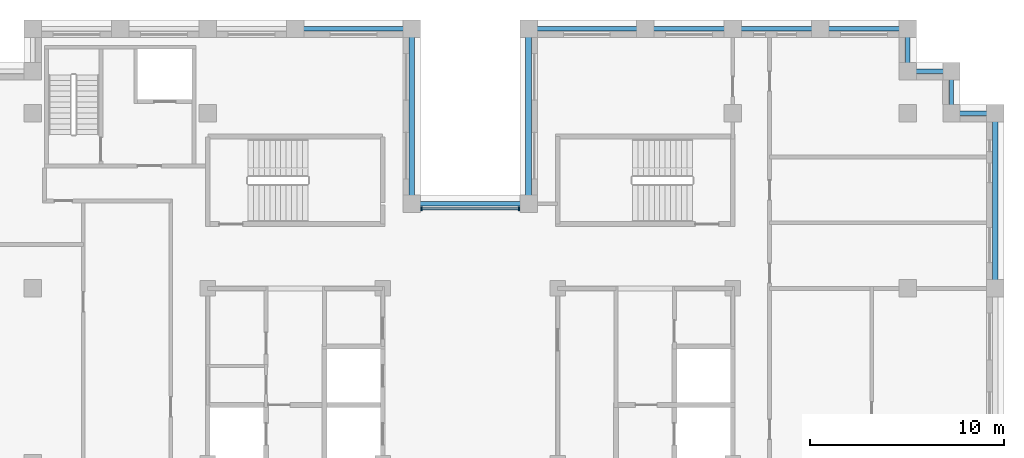
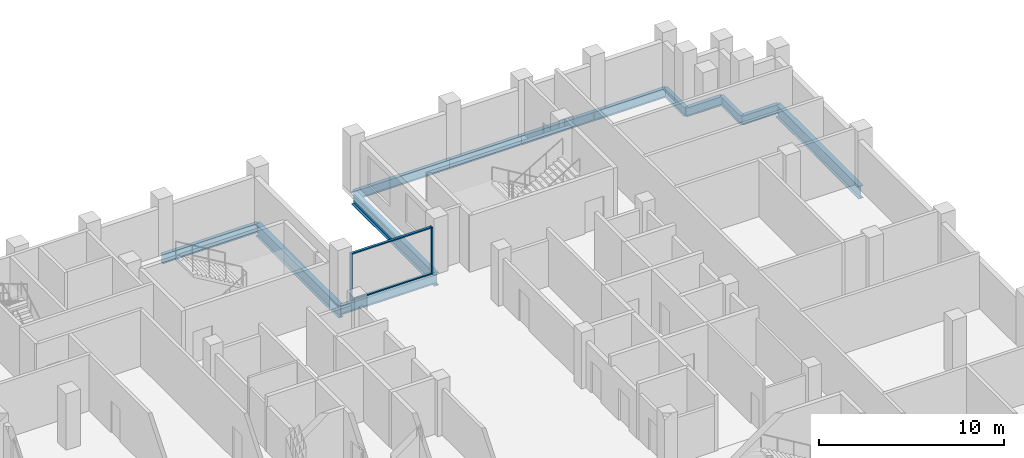
# One storey, part 4 of 13: 13 beams, 4 members, 1 element without a shape of its own.
"""IFC4 building model written with IfcOpenShell, lengths in metres."""

import ifcopenshell
import ifcopenshell.guid

model = None  # the IFC model being written
_history = None  # IfcOwnerHistory: only IFC2X3 demands one
_inside = {}  # id of a spatial element -> (the spatial element, [elements in it])
_under = {}  # id of a project, library or spatial element -> (it, [spatial elements below it])
_declared = {}  # id of a project -> (the project, [libraries it declares])
_typed = {}  # id of a type object -> (the type object, [elements of that type])
_made_of = {}  # id of a material, layer set ... -> (it, [elements and type objects made of it])


def new_model(schema):
    """Start an empty IFC model of exactly this schema.

    Asked for "IFC4X3", IfcOpenShell would pick the latest addendum, in which some entities
    have other attributes; the version numbers below select the first issue.
    IFC2X3 requires an IfcOwnerHistory on every rooted entity: one is made here for all.
    """
    global model, _history
    if schema == "IFC4X3":
        model = ifcopenshell.file(schema_version=(4, 3, 0, 0))
    else:
        model = ifcopenshell.file(schema=schema)
    _inside.clear()
    _under.clear()
    _declared.clear()
    _typed.clear()
    _made_of.clear()
    _history = None
    if model.schema == "IFC2X3":
        org = make("IfcOrganization", Name="unknown")
        user = make(
            "IfcPersonAndOrganization",
            ThePerson=make("IfcPerson", FamilyName="unknown"),
            TheOrganization=org,
        )
        app = make(
            "IfcApplication",
            ApplicationDeveloper=org,
            Version="unknown",
            ApplicationFullName="unknown",
            ApplicationIdentifier="unknown",
        )
        _history = make(
            "IfcOwnerHistory",
            OwningUser=user,
            OwningApplication=app,
            ChangeAction="ADDED",
            CreationDate=0,
        )
    return model


def make(cls, **values):
    """One entity of the class cls with the attributes given. An attribute that is None is left unset."""
    return model.create_entity(
        cls, **{name: value for name, value in values.items() if value is not None}
    )


def rooted(cls, **values):
    """An entity with a GlobalId (a new one), such as an element, a storey or a relation."""
    return make(cls, GlobalId=ifcopenshell.guid.new(), OwnerHistory=_history, **values)


def si_unit(unit_type, name, prefix=None):
    """IfcSIUnit, for example si_unit("LENGTHUNIT", "METRE", prefix="MILLI")."""
    return make("IfcSIUnit", UnitType=unit_type, Prefix=prefix, Name=name)


def assignment(units):
    """IfcUnitAssignment: the units of a project."""
    return None if units is None else make("IfcUnitAssignment", Units=units)


def point(xyz):
    """IfcCartesianPoint."""
    return None if xyz is None else make("IfcCartesianPoint", Coordinates=xyz)


def direction(xyz):
    """IfcDirection."""
    return None if xyz is None else make("IfcDirection", DirectionRatios=xyz)


def frame(location, z_axis=None, x_axis=None):
    """IfcAxis2Placement3D, a coordinate frame: its origin and axes. An axis left out is left unset."""
    return make(
        "IfcAxis2Placement3D",
        Location=point(location),
        Axis=direction(z_axis),
        RefDirection=direction(x_axis),
    )


def frame_2d(location, x_axis=None):
    """IfcAxis2Placement2D, a coordinate frame in the plane: its origin and x axis."""
    return make(
        "IfcAxis2Placement2D", Location=point(location), RefDirection=direction(x_axis)
    )


def origin():
    """The frame at (0, 0, 0) with its axes left unset."""
    return frame((0.0, 0.0, 0.0))


def origin_2d():
    """The frame at (0, 0) in the plane with its x axis left unset."""
    return frame_2d((0.0, 0.0))


def place(relative_to, where):
    """IfcLocalPlacement: puts the frame where relative to a parent placement (None: the world)."""
    return make(
        "IfcLocalPlacement", PlacementRelTo=relative_to, RelativePlacement=where
    )


def context(
    kind, dimensions, precision=None, world=None, true_north=None, identifier=None
):
    """IfcGeometricRepresentationContext, for example the 3D "Model" context."""
    return make(
        "IfcGeometricRepresentationContext",
        ContextIdentifier=identifier,
        ContextType=kind,
        CoordinateSpaceDimension=dimensions,
        Precision=precision,
        WorldCoordinateSystem=world,
        TrueNorth=true_north,
    )


def subcontext(parent, identifier, kind, view, scale=None):
    """IfcGeometricRepresentationSubContext, for example "Body" below "Model"."""
    return make(
        "IfcGeometricRepresentationSubContext",
        ContextIdentifier=identifier,
        ContextType=kind,
        ParentContext=parent,
        TargetScale=scale,
        TargetView=view,
    )


def project(units=None, contexts=None):
    """IfcProject with its units and contexts."""
    return rooted(
        "IfcProject",
        Name="project",
        RepresentationContexts=contexts,
        UnitsInContext=assignment(units),
    )


def spatial(cls, under=None, at=None, **own):
    """A site, building, storey or space (cls), placed at a placement, below another one or the project."""
    s = rooted(cls, ObjectPlacement=at, **own)
    if under is not None:
        _under.setdefault(under.id(), (under, []))[1].append(s)
    return s


def profile(cls, at=None, kind="AREA", **sizes):
    """A parametric profile (cls). Its sizes go by their IFC names, for example OverallWidth=200.0."""
    return make(cls, ProfileType=kind, Position=at, **sizes)


def rectangle(**sizes):
    """IfcRectangleProfileDef."""
    return profile("IfcRectangleProfileDef", **sizes)


def i_section(**sizes):
    """IfcIShapeProfileDef."""
    return profile("IfcIShapeProfileDef", **sizes)


def extrude(swept, where, along, depth):
    """IfcExtrudedAreaSolid: the profile swept, set in the frame where, extruded along a direction by depth."""
    return make(
        "IfcExtrudedAreaSolid",
        SweptArea=swept,
        Position=where,
        ExtrudedDirection=direction(along),
        Depth=depth,
    )


def shape(context_of_items, identifier, shape_type, items):
    """IfcShapeRepresentation: the items that make up one representation, for example the "Body"."""
    return make(
        "IfcShapeRepresentation",
        ContextOfItems=context_of_items,
        RepresentationIdentifier=identifier,
        RepresentationType=shape_type,
        Items=items,
    )


def material(Name=None, Category=None):
    """IfcMaterial."""
    return make("IfcMaterial", Name=Name, Category=Category)


def layer(
    of_material, thickness, ventilated=None, Name=None, Category=None, Priority=None
):
    """IfcMaterialLayer: one layer of a wall or slab, of a material (None: an air gap)."""
    return make(
        "IfcMaterialLayer",
        Material=of_material,
        LayerThickness=thickness,
        IsVentilated=ventilated,
        Name=Name,
        Category=Category,
        Priority=Priority,
    )


def layer_set(layers, Name=None):
    """IfcMaterialLayerSet."""
    return make("IfcMaterialLayerSet", MaterialLayers=layers, LayerSetName=Name)


def material_profile(
    of_material, cross_section, Name=None, Category=None, Priority=None
):
    """IfcMaterialProfile: a cross section and its material."""
    return make(
        "IfcMaterialProfile",
        Name=Name,
        Material=of_material,
        Profile=cross_section,
        Priority=Priority,
        Category=Category,
    )


def profile_set(profiles, Name=None, composite=None):
    """IfcMaterialProfileSet."""
    return make(
        "IfcMaterialProfileSet",
        Name=Name,
        MaterialProfiles=profiles,
        CompositeProfile=composite,
    )


def made_of(thing, what):
    """Note that an element or type object is made of a material, layer set ...; save() writes the relation."""
    if what is not None:
        _made_of.setdefault(what.id(), (what, []))[1].append(thing)
    return thing


def type_object(cls, material=None, **own):
    """A type object (cls), such as IfcWallType, which elements share."""
    return made_of(rooted(cls, **own), material)


def element(
    cls,
    number,
    at=None,
    inside=None,
    cuts=None,
    type_object=None,
    material=None,
    context=None,
    identifier="Body",
    shape_type=None,
    held_by="IfcProductDefinitionShape",
    body=None,
    shapes=None,
    **own,
):
    """One element of the class cls, such as IfcWall. Its Tag is "e" and its number.

    at: its placement. inside: the storey or other place that contains it. cuts: it is an
    opening in that element (IfcRelVoidsElement). A single representation is given by context,
    identifier, shape_type and body (its items); several are given by shapes. held_by: the class
    of the entity that holds the representations. save() writes the other relations.
    """
    e = rooted(cls, Tag="e%d" % number, ObjectPlacement=at, **own)
    if body is not None:
        shapes = [shape(context, identifier, shape_type, body)]
    if shapes is not None:
        e.Representation = make(held_by, Representations=shapes)
    if inside is not None:
        _inside.setdefault(inside.id(), (inside, []))[1].append(e)
    if cuts is not None:
        rooted(
            "IfcRelVoidsElement", RelatingBuildingElement=cuts, RelatedOpeningElement=e
        )
    if type_object is not None:
        _typed.setdefault(type_object.id(), (type_object, []))[1].append(e)
    return made_of(e, material)


def aggregate(whole, parts):
    """IfcRelAggregates: a whole, such as a stair, and the parts it consists of."""
    return rooted("IfcRelAggregates", RelatingObject=whole, RelatedObjects=parts)


def save(model, path):
    """Write the relations noted so far, then the file.

    IfcRelAggregates (storeys below a building ...), IfcRelContainedInSpatialStructure (elements
    in a storey), IfcRelDefinesByType, IfcRelAssociatesMaterial and IfcRelDeclares: one each for
    every whole, place, type object, material and project.
    """
    for whole, parts in _under.values():
        aggregate(whole, parts)
    for where, things in _inside.values():
        rooted(
            "IfcRelContainedInSpatialStructure",
            RelatedElements=things,
            RelatingStructure=where,
        )
    for kind, things in _typed.values():
        rooted("IfcRelDefinesByType", RelatedObjects=things, RelatingType=kind)
    for what, things in _made_of.values():
        rooted("IfcRelAssociatesMaterial", RelatedObjects=things, RelatingMaterial=what)
    for by, libraries in _declared.values():
        rooted("IfcRelDeclares", RelatingContext=by, RelatedDefinitions=libraries)
    model.write(path)


model = new_model("IFC4")

# Units and contexts
model_context = context("Model", 3, precision=1e-05, world=origin(), true_north=direction((0.0, 1.0)))
body_context = subcontext(model_context, "Body", "Model", "MODEL_VIEW")
ifc_project = project(units=[si_unit("LENGTHUNIT", "METRE"), si_unit("AREAUNIT", "SQUARE_METRE"), si_unit("VOLUMEUNIT", "CUBIC_METRE"), si_unit("PLANEANGLEUNIT", "RADIAN"), si_unit("MASSUNIT", "GRAM", prefix="KILO")], contexts=[model_context])

# Site, building, storey
site_placement = place(None, origin())
site = spatial("IfcSite", under=ifc_project, at=site_placement, CompositionType="ELEMENT")
building_placement = place(site_placement, origin())
building = spatial("IfcBuilding", under=site, at=building_placement, Name="Corbelhall Arena Tower", CompositionType="ELEMENT")
storey_placement = place(building_placement, frame((0.0, 0.0, 258.0)))
storey = spatial("IfcBuildingStorey", under=building, at=storey_placement, Name="L55", CompositionType="ELEMENT", Elevation=258.0)

# Curtain wall, members
ifc_material_1 = material(Name="Aluminium black anodised", Category="aluminium")
ifc_layer = layer(ifc_material_1, 0.199951171875)
ifc_layer_set = layer_set([ifc_layer], Name="EV-CW1 Slot back wall")
curtain_wall_type = type_object("IfcCurtainWallType", Name="EV-CW1 Slot back wall", PredefinedType="NOTDEFINED", material=ifc_layer_set)
curtain_wall_placement = place(storey_placement, origin())
curtain_wall = element("IfcCurtainWall", 1, at=curtain_wall_placement, inside=storey, type_object=curtain_wall_type, Name="Curtain wall CW1", PredefinedType="NOTDEFINED")
ifc_material_profile_1 = material_profile(ifc_material_1, rectangle(XDim=0.199951171875, YDim=0.074951171875, at=origin_2d()))
ifc_profile_set_1 = profile_set([ifc_material_profile_1], Name="Aluminium black anodised")
member_type_1 = type_object("IfcMemberType", Name="EV-CW1-MULLION", PredefinedType="MULLION", material=ifc_profile_set_1)
member_1_placement = place(storey_placement, frame((2.512451171875, 13.10009765625, 0.0), z_axis=(0.0, 0.0, 1.0), x_axis=(0.0, -1.0, 0.0)))
member_1 = element("IfcMember", 2, at=member_1_placement, type_object=member_type_1, Name="CW1 mullion 1", PredefinedType="MULLION", context=body_context, shape_type="SweptSolid", body=[
    extrude(rectangle(XDim=0.199951171875, YDim=0.074951171875, at=origin_2d()), origin(), (0.0, 0.0, 1.0), 3.1201171875),
])
member_2_placement = place(storey_placement, frame((-2.512451171875, 13.10009765625, 0.0), z_axis=(0.0, 0.0, 1.0), x_axis=(0.0, -1.0, 0.0)))
member_2 = element("IfcMember", 3, at=member_2_placement, type_object=member_type_1, Name="CW1 mullion 2", PredefinedType="MULLION", context=body_context, shape_type="SweptSolid", body=[
    extrude(rectangle(XDim=0.199951171875, YDim=0.074951171875, at=origin_2d()), origin(), (0.0, 0.0, 1.0), 3.1201171875),
])
ifc_material_profile_2 = material_profile(ifc_material_1, rectangle(XDim=0.14990234375, YDim=0.074951171875, at=origin_2d()))
ifc_profile_set_2 = profile_set([ifc_material_profile_2], Name="Aluminium black anodised")
member_type_2 = type_object("IfcMemberType", Name="EV-CW1-TRANSOM", PredefinedType="USERDEFINED", material=ifc_profile_set_2)
member_3_placement = place(storey_placement, frame((2.47509765625, 13.10009765625, 0.03759765625), z_axis=(-1.0, 0.0, 0.0), x_axis=(0.0, -1.0, 0.0)))
member_3 = element("IfcMember", 4, at=member_3_placement, type_object=member_type_2, Name="CW1 transom 1.1", ObjectType="transom", PredefinedType="USERDEFINED", context=body_context, shape_type="SweptSolid", body=[
    extrude(rectangle(XDim=0.14990234375, YDim=0.074951171875, at=origin_2d()), origin(), (0.0, 0.0, 1.0), 4.9501953125),
])
member_4_placement = place(storey_placement, frame((2.47509765625, 13.10009765625, 3.08251953125), z_axis=(-1.0, 0.0, 0.0), x_axis=(0.0, -1.0, 0.0)))
member_4 = element("IfcMember", 5, at=member_4_placement, type_object=member_type_2, Name="CW1 transom 1.2", ObjectType="transom", PredefinedType="USERDEFINED", context=body_context, shape_type="SweptSolid", body=[
    extrude(rectangle(XDim=0.14990234375, YDim=0.074951171875, at=origin_2d()), origin(), (0.0, 0.0, 1.0), 4.9501953125),
])
aggregate(curtain_wall, [member_1, member_2, member_3, member_4])

# Beams
ifc_material_2 = material(Name="Steel ASTM A992 Gr50", Category="steel")
ifc_material_profile_3 = material_profile(ifc_material_2, i_section(OverallWidth=0.227783203125, OverallDepth=0.60205078125, WebThickness=0.010498046875, FlangeThickness=0.014892578125, at=origin_2d()))
ifc_profile_set_3 = profile_set([ifc_material_profile_3], Name="Steel ASTM A992 Gr50")
beam_type_1 = type_object("IfcBeamType", Name="ST-SPANDREL-W24x68", PredefinedType="SPANDREL", material=ifc_profile_set_3)
beam_1_placement = place(storey_placement, frame((3.0, 22.35009765625, -0.5810546875), z_axis=(1.0, 0.0, 0.0), x_axis=(0.0, 1.0, 0.0)))
element("IfcBeam", 6, at=beam_1_placement, inside=storey, type_object=beam_type_1, Name="Beam SP 6", PredefinedType="SPANDREL", context=body_context, shape_type="SweptSolid", body=[
    extrude(i_section(OverallWidth=0.227783203125, OverallDepth=0.60205078125, WebThickness=0.010498046875, FlangeThickness=0.014892578125, at=origin_2d()), origin(), (0.0, 0.0, 1.0), 6.0),
])
for number, where, z_axis, x_axis, name in (
    (7, (9.0, 22.35009765625, -0.5810546875), (1.0, 0.0, 0.0), (0.0, 1.0, 0.0), "Beam SP 7"),
    (8, (13.5, 22.35009765625, -0.5810546875), (1.0, 0.0, 0.0), (0.0, 1.0, 0.0), "Beam SP 8"),
    (9, (18.0, 22.35009765625, -0.5810546875), (1.0, 0.0, 0.0), (0.0, 1.0, 0.0), "Beam SP 9"),
):
    element("IfcBeam", number, at=place(storey_placement, frame(where, z_axis=z_axis, x_axis=x_axis)), inside=storey, type_object=beam_type_1, Name=name, PredefinedType="SPANDREL", context=body_context, shape_type="SweptSolid", body=[
        extrude(i_section(OverallWidth=0.227783203125, OverallDepth=0.60205078125, WebThickness=0.010498046875, FlangeThickness=0.014892578125, at=origin_2d()), origin(), (0.0, 0.0, 1.0), 4.5),
    ])
beam_2_placement = place(storey_placement, frame((22.5, 22.35009765625, -0.5810546875), z_axis=(0.0, -1.0, 0.0), x_axis=(1.0, 0.0, 0.0)))
element("IfcBeam", 10, at=beam_2_placement, inside=storey, type_object=beam_type_1, Name="Beam SP 10", PredefinedType="SPANDREL", context=body_context, shape_type="SweptSolid", body=[
    extrude(i_section(OverallWidth=0.227783203125, OverallDepth=0.60205078125, WebThickness=0.010498046875, FlangeThickness=0.014892578125, at=origin_2d()), origin(), (0.0, 0.0, 1.0), 2.175048828125),
])
for number, where, z_axis, x_axis, name in (
    (11, (-9.0, 22.35009765625, -0.5810546875), (1.0, 0.0, 0.0), (0.0, 1.0, 0.0), "Beam SP 12"),
    (12, (-3.0, 13.35009765625, -0.5810546875), (1.0, 0.0, 0.0), (0.0, 1.0, 0.0), "Beam SP 32"),
):
    element("IfcBeam", number, at=place(storey_placement, frame(where, z_axis=z_axis, x_axis=x_axis)), inside=storey, type_object=beam_type_1, Name=name, PredefinedType="SPANDREL", context=body_context, shape_type="SweptSolid", body=[
        extrude(i_section(OverallWidth=0.227783203125, OverallDepth=0.60205078125, WebThickness=0.010498046875, FlangeThickness=0.014892578125, at=origin_2d()), origin(), (0.0, 0.0, 1.0), 6.0),
    ])
beam_3_placement = place(storey_placement, frame((22.5, 20.175048828125, -0.5810546875), z_axis=(1.0, 0.0, 0.0), x_axis=(0.0, 1.0, 0.0)))
element("IfcBeam", 13, at=beam_3_placement, inside=storey, type_object=beam_type_1, Name="Beam SP 35", PredefinedType="SPANDREL", context=body_context, shape_type="SweptSolid", body=[
    extrude(i_section(OverallWidth=0.227783203125, OverallDepth=0.60205078125, WebThickness=0.010498046875, FlangeThickness=0.014892578125, at=origin_2d()), origin(), (0.0, 0.0, 1.0), 2.25),
])
beam_4_placement = place(storey_placement, frame((24.75, 20.175048828125, -0.5810546875), z_axis=(0.0, -1.0, 0.0), x_axis=(1.0, 0.0, 0.0)))
element("IfcBeam", 14, at=beam_4_placement, inside=storey, type_object=beam_type_1, Name="Beam SP 36", PredefinedType="SPANDREL", context=body_context, shape_type="SweptSolid", body=[
    extrude(i_section(OverallWidth=0.227783203125, OverallDepth=0.60205078125, WebThickness=0.010498046875, FlangeThickness=0.014892578125, at=origin_2d()), origin(), (0.0, 0.0, 1.0), 2.175048828125),
])
beam_5_placement = place(storey_placement, frame((24.75, 18.0, -0.5810546875), z_axis=(1.0, 0.0, 0.0), x_axis=(0.0, 1.0, 0.0)))
element("IfcBeam", 15, at=beam_5_placement, inside=storey, type_object=beam_type_1, Name="Beam SP 37", PredefinedType="SPANDREL", context=body_context, shape_type="SweptSolid", body=[
    extrude(i_section(OverallWidth=0.227783203125, OverallDepth=0.60205078125, WebThickness=0.010498046875, FlangeThickness=0.014892578125, at=origin_2d()), origin(), (0.0, 0.0, 1.0), 2.25),
])
ifc_material_profile_4 = material_profile(ifc_material_2, i_section(OverallWidth=0.2919921875, OverallDepth=0.845703125, WebThickness=0.015380859375, FlangeThickness=0.0244140625, at=origin_2d()))
ifc_profile_set_4 = profile_set([ifc_material_profile_4], Name="Steel ASTM A992 Gr50")
beam_type_2 = type_object("IfcBeamType", Name="ST-SPANDREL-W33x141", PredefinedType="SPANDREL", material=ifc_profile_set_4)
for number, where, z_axis, x_axis, name in (
    (16, (27.0, 18.0, -0.702880859375), (0.0, -1.0, 0.0), (1.0, 0.0, 0.0), "Beam SP 3"),
    (17, (-3.0, 22.35009765625, -0.702880859375), (0.0, -1.0, 0.0), (1.0, 0.0, 0.0), "Beam SP 11"),
    (18, (3.0, 13.35009765625, -0.702880859375), (0.0, 1.0, 0.0), (-1.0, 0.0, 0.0), "Beam SP 31"),
):
    element("IfcBeam", number, at=place(storey_placement, frame(where, z_axis=z_axis, x_axis=x_axis)), inside=storey, type_object=beam_type_2, Name=name, PredefinedType="SPANDREL", context=body_context, shape_type="SweptSolid", body=[
        extrude(i_section(OverallWidth=0.2919921875, OverallDepth=0.845703125, WebThickness=0.015380859375, FlangeThickness=0.0244140625, at=origin_2d()), origin(), (0.0, 0.0, 1.0), 9.0),
    ])

save(model, "model.ifc")
